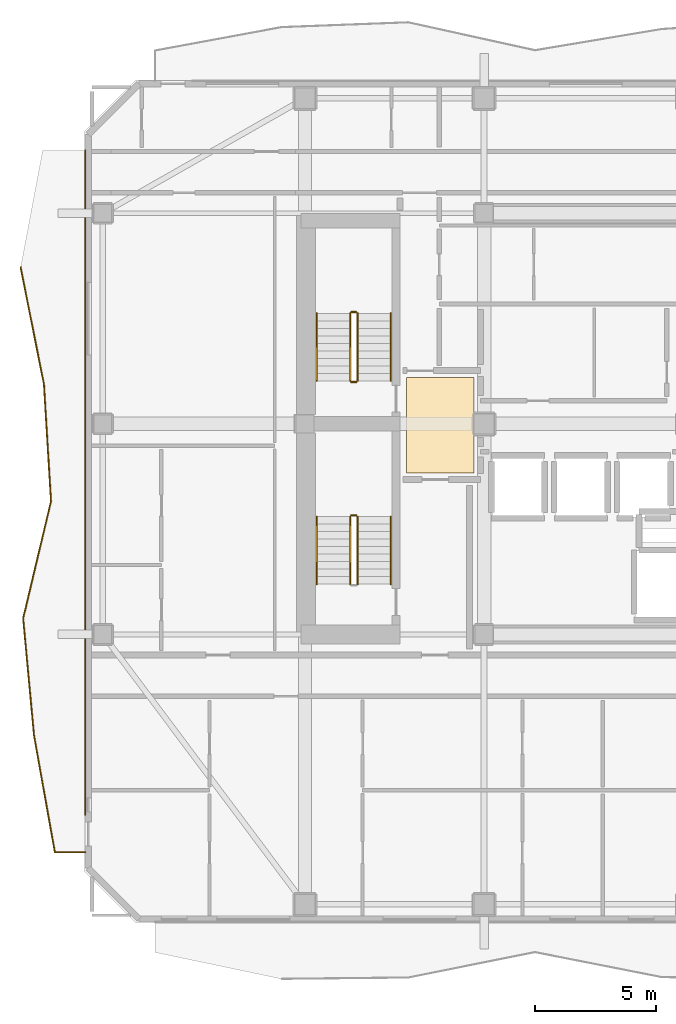
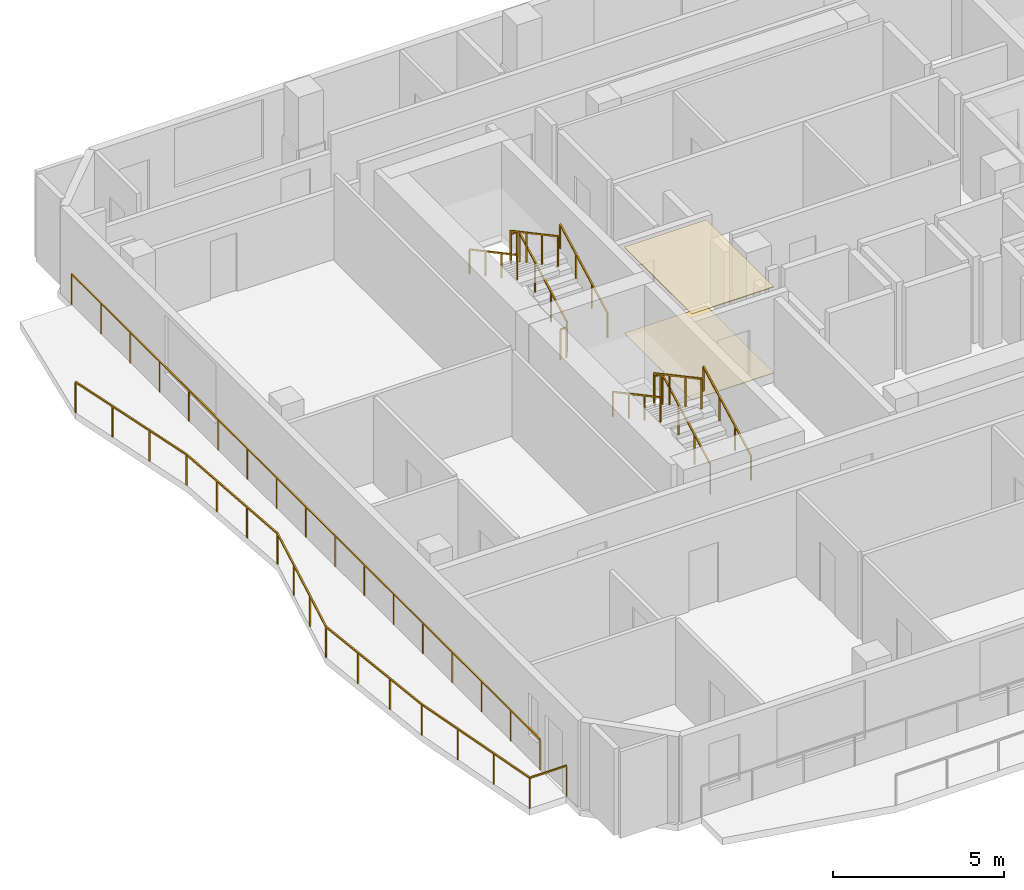
# One storey, part 8 of 10: 13 railings, 2 coverings.
"""IFC4 building model written with IfcOpenShell, lengths in metres."""

from ifc_helpers import new_model, si_unit, direction, frame, origin, origin_2d, place, context, subcontext, project, spatial, polyline, rectangle, outline, extrude, material, layer, layer_set, type_object, element, save


model = new_model("IFC4")

# Units and contexts
model_context = context("Model", 3, precision=1e-05, world=origin(), true_north=direction((0.0, 1.0)))
body_context = subcontext(model_context, "Body", "Model", "MODEL_VIEW")
ifc_project = project(units=[si_unit("LENGTHUNIT", "METRE"), si_unit("AREAUNIT", "SQUARE_METRE"), si_unit("VOLUMEUNIT", "CUBIC_METRE"), si_unit("PLANEANGLEUNIT", "RADIAN"), si_unit("MASSUNIT", "GRAM", prefix="KILO")], contexts=[model_context])

# Site, building, storey
site_placement = place(None, origin())
site = spatial("IfcSite", under=ifc_project, at=site_placement, CompositionType="ELEMENT")
building_placement = place(site_placement, origin())
building = spatial("IfcBuilding", under=site, at=building_placement, Name="Solanera Arch Residences", CompositionType="ELEMENT")
storey_placement = place(building_placement, frame((0.0, 0.0, 200.1201171875)))
storey = spatial("IfcBuildingStorey", under=building, at=storey_placement, Name="L58", CompositionType="ELEMENT", Elevation=200.1201171875)

# Railings
ifc_material_1 = material(Name="Steel S355 (ASTM A992 / A572 Grade 50)", Category="steel")
railing_type_1 = type_object("IfcRailingType", Name="Balustrade Railing BL-1100", PredefinedType="BALUSTRADE", material=ifc_material_1)
railing_1_placement = place(storey_placement, frame((1.65087890625, 37.1669921875, 0.0)))
element("IfcRailing", 1, at=railing_1_placement, inside=storey, type_object=railing_type_1, Name="L58 W Balcony Balustrade 1", PredefinedType="BALUSTRADE", context=body_context, shape_type="SweptSolid", body=[
    extrude(rectangle(XDim=0.048095703125, YDim=0.048095703125, at=origin_2d()), frame((0.0, 0.0, 1.09619140625), z_axis=(0.195401686752, -0.980723294724, 0.0), x_axis=(0.980723294724, 0.195401686752, 0.0)), (0.0, 0.0, 1.0), 4.928955078125),
    extrude(rectangle(XDim=0.048095703125, YDim=0.048095703125, at=origin_2d()), frame((0.963134765625, -4.833984375, 1.09619140625), z_axis=(0.060306283291, -0.998179919752, 0.0), x_axis=(0.998179919752, 0.060306283291, 0.0)), (0.0, 0.0, 1.0), 4.841796875),
    extrude(rectangle(XDim=0.048095703125, YDim=0.048095703125, at=origin_2d()), frame((1.255126953125, -9.6669921875, 1.09619140625), z_axis=(-0.231698033775, -0.972787757501, 0.0), x_axis=(0.972787757501, -0.231698033775, 0.0)), (0.0, 0.0, 1.0), 4.96826171875),
    extrude(rectangle(XDim=0.048095703125, YDim=0.048095703125, at=origin_2d()), frame((0.10400390625, -14.5, 1.09619140625), z_axis=(0.092281313669, -0.995732975826, 0.0), x_axis=(0.995732975826, 0.092281313669, 0.0)), (0.0, 0.0, 1.0), 4.854736328125),
    extrude(rectangle(XDim=0.048095703125, YDim=0.048095703125, at=origin_2d()), frame((0.552001953125, -19.333984375, 1.09619140625), z_axis=(0.175790638484, -0.984427575508, 0.0), x_axis=(0.984427575508, 0.175790638484, 0.0)), (0.0, 0.0, 1.0), 4.909423828125),
    extrude(rectangle(XDim=0.048095703125, YDim=0.048095703125, at=origin_2d()), frame((1.4150390625, -24.1669921875, 1.09619140625), z_axis=(1.0, 0.0, 0.0), x_axis=(0.0, 1.0, 0.0)), (0.0, 0.0, 1.0), 1.254150390625),
    extrude(rectangle(XDim=0.0419921875, YDim=0.0419921875, at=origin_2d()), origin(), (0.0, 0.0, 1.0), 1.072021484375),
    extrude(rectangle(XDim=0.0419921875, YDim=0.0419921875, at=origin_2d()), frame((0.321044921875, -1.611328125, 0.0)), (0.0, 0.0, 1.0), 1.072021484375),
    extrude(rectangle(XDim=0.0419921875, YDim=0.0419921875, at=origin_2d()), frame((0.64208984375, -3.22265625, 0.0)), (0.0, 0.0, 1.0), 1.072021484375),
    extrude(rectangle(XDim=0.0419921875, YDim=0.0419921875, at=origin_2d()), frame((0.963134765625, -4.833984375, 0.0)), (0.0, 0.0, 1.0), 1.072021484375),
    extrude(rectangle(XDim=0.0419921875, YDim=0.0419921875, at=origin_2d()), frame((1.060546875, -6.445068359375, 0.0)), (0.0, 0.0, 1.0), 1.072021484375),
    extrude(rectangle(XDim=0.0419921875, YDim=0.0419921875, at=origin_2d()), frame((1.15771484375, -8.055908203125, 0.0)), (0.0, 0.0, 1.0), 1.072021484375),
    extrude(rectangle(XDim=0.0419921875, YDim=0.0419921875, at=origin_2d()), frame((1.255126953125, -9.6669921875, 0.0)), (0.0, 0.0, 1.0), 1.072021484375),
    extrude(rectangle(XDim=0.0419921875, YDim=0.0419921875, at=origin_2d()), frame((0.871337890625, -11.278076171875, 0.0)), (0.0, 0.0, 1.0), 1.072021484375),
    extrude(rectangle(XDim=0.0419921875, YDim=0.0419921875, at=origin_2d()), frame((0.48779296875, -12.888916015625, 0.0)), (0.0, 0.0, 1.0), 1.072021484375),
    extrude(rectangle(XDim=0.0419921875, YDim=0.0419921875, at=origin_2d()), frame((0.10400390625, -14.5, 0.0)), (0.0, 0.0, 1.0), 1.072021484375),
    extrude(rectangle(XDim=0.0419921875, YDim=0.0419921875, at=origin_2d()), frame((0.25341796875, -16.111328125, 0.0)), (0.0, 0.0, 1.0), 1.072021484375),
    extrude(rectangle(XDim=0.0419921875, YDim=0.0419921875, at=origin_2d()), frame((0.402587890625, -17.72265625, 0.0)), (0.0, 0.0, 1.0), 1.072021484375),
    extrude(rectangle(XDim=0.0419921875, YDim=0.0419921875, at=origin_2d()), frame((0.552001953125, -19.333984375, 0.0)), (0.0, 0.0, 1.0), 1.072021484375),
    extrude(rectangle(XDim=0.0419921875, YDim=0.0419921875, at=origin_2d()), frame((0.839599609375, -20.945068359375, 0.0)), (0.0, 0.0, 1.0), 1.072021484375),
    extrude(rectangle(XDim=0.0419921875, YDim=0.0419921875, at=origin_2d()), frame((1.12744140625, -22.555908203125, 0.0)), (0.0, 0.0, 1.0), 1.072021484375),
    extrude(rectangle(XDim=0.0419921875, YDim=0.0419921875, at=origin_2d()), frame((1.4150390625, -24.1669921875, 0.0)), (0.0, 0.0, 1.0), 1.072021484375),
    extrude(rectangle(XDim=0.0419921875, YDim=0.0419921875, at=origin_2d()), frame((2.669189453125, -24.1669921875, 0.0)), (0.0, 0.0, 1.0), 1.072021484375),
])
railing_2_placement = place(storey_placement, frame((4.320068359375, 14.554931640625, 0.0)))
element("IfcRailing", 2, at=railing_2_placement, inside=storey, type_object=railing_type_1, Name="L58 W Balcony Balustrade 2", PredefinedType="BALUSTRADE", context=body_context, shape_type="SweptSolid", body=[
    extrude(rectangle(XDim=0.048095703125, YDim=0.048095703125, at=origin_2d()), frame((0.0, 0.0, 1.09619140625), z_axis=(0.0, 1.0, 0.0), x_axis=(-1.0, 0.0, 0.0)), (0.0, 0.0, 1.0), 27.445068359375),
    extrude(rectangle(XDim=0.0419921875, YDim=0.0419921875, at=origin_2d()), origin(), (0.0, 0.0, 1.0), 1.072021484375),
    extrude(rectangle(XDim=0.0419921875, YDim=0.0419921875, at=origin_2d()), frame((0.0, 1.71533203125, 0.0)), (0.0, 0.0, 1.0), 1.072021484375),
    extrude(rectangle(XDim=0.0419921875, YDim=0.0419921875, at=origin_2d()), frame((0.0, 3.4306640625, 0.0)), (0.0, 0.0, 1.0), 1.072021484375),
    extrude(rectangle(XDim=0.0419921875, YDim=0.0419921875, at=origin_2d()), frame((0.0, 5.14599609375, 0.0)), (0.0, 0.0, 1.0), 1.072021484375),
    extrude(rectangle(XDim=0.0419921875, YDim=0.0419921875, at=origin_2d()), frame((0.0, 6.861328125, 0.0)), (0.0, 0.0, 1.0), 1.072021484375),
    extrude(rectangle(XDim=0.0419921875, YDim=0.0419921875, at=origin_2d()), frame((0.0, 8.57666015625, 0.0)), (0.0, 0.0, 1.0), 1.072021484375),
    extrude(rectangle(XDim=0.0419921875, YDim=0.0419921875, at=origin_2d()), frame((0.0, 10.2919921875, 0.0)), (0.0, 0.0, 1.0), 1.072021484375),
    extrude(rectangle(XDim=0.0419921875, YDim=0.0419921875, at=origin_2d()), frame((0.0, 12.00732421875, 0.0)), (0.0, 0.0, 1.0), 1.072021484375),
    extrude(rectangle(XDim=0.0419921875, YDim=0.0419921875, at=origin_2d()), frame((0.0, 13.72265625, 0.0)), (0.0, 0.0, 1.0), 1.072021484375),
    extrude(rectangle(XDim=0.0419921875, YDim=0.0419921875, at=origin_2d()), frame((0.0, 15.437744140625, 0.0)), (0.0, 0.0, 1.0), 1.072021484375),
    extrude(rectangle(XDim=0.0419921875, YDim=0.0419921875, at=origin_2d()), frame((0.0, 17.153076171875, 0.0)), (0.0, 0.0, 1.0), 1.072021484375),
    extrude(rectangle(XDim=0.0419921875, YDim=0.0419921875, at=origin_2d()), frame((0.0, 18.868408203125, 0.0)), (0.0, 0.0, 1.0), 1.072021484375),
    extrude(rectangle(XDim=0.0419921875, YDim=0.0419921875, at=origin_2d()), frame((0.0, 20.583740234375, 0.0)), (0.0, 0.0, 1.0), 1.072021484375),
    extrude(rectangle(XDim=0.0419921875, YDim=0.0419921875, at=origin_2d()), frame((0.0, 22.299072265625, 0.0)), (0.0, 0.0, 1.0), 1.072021484375),
    extrude(rectangle(XDim=0.0419921875, YDim=0.0419921875, at=origin_2d()), frame((0.0, 24.014404296875, 0.0)), (0.0, 0.0, 1.0), 1.072021484375),
    extrude(rectangle(XDim=0.0419921875, YDim=0.0419921875, at=origin_2d()), frame((0.0, 25.729736328125, 0.0)), (0.0, 0.0, 1.0), 1.072021484375),
    extrude(rectangle(XDim=0.0419921875, YDim=0.0419921875, at=origin_2d()), frame((0.0, 27.445068359375, 0.0)), (0.0, 0.0, 1.0), 1.072021484375),
])

# Covering
ifc_material_2 = material(Name="Porcelain Acoustic Floor Tile", Category="ceramic")
ifc_layer_1 = layer(ifc_material_2, 0.02001953125)
ifc_layer_set_1 = layer_set([ifc_layer_1], Name="Porcelain Acoustic Floor Tile")
covering_type_1 = type_object("IfcCoveringType", Name="Porcelain Acoustic Floor Finish FLR-20", PredefinedType="FLOORING", material=ifc_layer_set_1)
covering_1_placement = place(storey_placement, origin())
element("IfcCovering", 3, at=covering_1_placement, inside=storey, type_object=covering_type_1, Name="L58-FFL-W Porcelain Floor Finish", PredefinedType="FLOORING", context=body_context, shape_type="SweptSolid", body=[
    extrude(outline(polyline([(20.375, 28.675048828125), (17.594970703125, 28.675048828125), (17.594970703125, 32.625), (20.375, 32.625), (20.375, 28.675048828125)])), origin(), (0.0, 0.0, 1.0), 0.019775390625),
])

# Railings
ifc_material_3 = material(Name="Steel S355 (ASTM A992 / A572 Grade 50)", Category="steel")
railing_type_2 = type_object("IfcRailingType", Name="Stair Guardrail GR-1100", PredefinedType="GUARDRAIL", material=ifc_material_3)
railing_3_placement = place(storey_placement, frame((15.570068359375, 32.47998046875, 0.15087890625)))
element("IfcRailing", 4, at=railing_3_placement, inside=storey, type_object=railing_type_2, Name="L58 ST-T1 stair guard 1", PredefinedType="GUARDRAIL", context=body_context, shape_type="SweptSolid", body=[
    extrude(rectangle(XDim=0.048095703125, YDim=0.048095703125, at=origin_2d()), frame((0.0, 0.0, 1.076171875), z_axis=(0.0, 0.881580869306, 0.472033018838), x_axis=(-1.0, 0.0, 0.0)), (0.0, 0.0, 1.0), 3.164794921875),
    extrude(rectangle(XDim=0.0419921875, YDim=0.0419921875, at=origin_2d()), origin(), (0.0, 0.0, 1.0), 1.052001953125),
    extrude(rectangle(XDim=0.0419921875, YDim=0.0419921875, at=origin_2d()), frame((0.0, 0.929931640625, 0.498046875)), (0.0, 0.0, 1.0), 1.052001953125),
    extrude(rectangle(XDim=0.0419921875, YDim=0.0419921875, at=origin_2d()), frame((0.0, 1.860107421875, 0.995849609375)), (0.0, 0.0, 1.0), 1.052001953125),
    extrude(rectangle(XDim=0.0419921875, YDim=0.0419921875, at=origin_2d()), frame((0.0, 2.7900390625, 1.493896484375)), (0.0, 0.0, 1.0), 1.052001953125),
])
railing_4_placement = place(storey_placement, frame((15.52001953125, 35.320068359375, 1.644775390625)))
element("IfcRailing", 5, at=railing_4_placement, inside=storey, type_object=railing_type_2, Name="L58 ST-T1 stair guard 2", PredefinedType="GUARDRAIL", context=body_context, shape_type="SweptSolid", body=[
    extrude(rectangle(XDim=0.048095703125, YDim=0.048095703125, at=origin_2d()), frame((0.0, 0.0, 1.076171875), z_axis=(-1.0, 0.0, 0.0), x_axis=(0.0, -1.0, 0.0)), (0.0, 0.0, 1.0), 0.199951171875),
    extrude(rectangle(XDim=0.0419921875, YDim=0.0419921875, at=origin_2d()), origin(), (0.0, 0.0, 1.0), 1.052001953125),
    extrude(rectangle(XDim=0.0419921875, YDim=0.0419921875, at=origin_2d()), frame((-0.199951171875, 0.0, 0.0)), (0.0, 0.0, 1.0), 1.052001953125),
])
railing_5_placement = place(storey_placement, frame((15.27001953125, 35.27001953125, 1.810791015625)))
element("IfcRailing", 6, at=railing_5_placement, inside=storey, type_object=railing_type_2, Name="L58 ST-T1 stair guard 3", PredefinedType="GUARDRAIL", context=body_context, shape_type="SweptSolid", body=[
    extrude(rectangle(XDim=0.048095703125, YDim=0.048095703125, at=origin_2d()), frame((0.0, 0.0, 1.076171875), z_axis=(0.0, -0.881548766853, 0.472092969298), x_axis=(1.0, 0.0, 0.0)), (0.0, 0.0, 1.0), 3.1650390625),
    extrude(rectangle(XDim=0.0419921875, YDim=0.0419921875, at=origin_2d()), origin(), (0.0, 0.0, 1.0), 1.052001953125),
    extrude(rectangle(XDim=0.0419921875, YDim=0.0419921875, at=origin_2d()), frame((0.0, -0.929931640625, 0.498046875)), (0.0, 0.0, 1.0), 1.052001953125),
    extrude(rectangle(XDim=0.0419921875, YDim=0.0419921875, at=origin_2d()), frame((0.0, -1.860107421875, 0.99609375)), (0.0, 0.0, 1.0), 1.052001953125),
    extrude(rectangle(XDim=0.0419921875, YDim=0.0419921875, at=origin_2d()), frame((0.0, -2.7900390625, 1.494140625)), (0.0, 0.0, 1.0), 1.052001953125),
])
railing_6_placement = place(storey_placement, frame((15.52001953125, 32.429931640625, -0.01513671875)))
element("IfcRailing", 7, at=railing_6_placement, inside=storey, type_object=railing_type_2, Name="L58 ST-T1 stair guard 4", PredefinedType="GUARDRAIL", context=body_context, shape_type="SweptSolid", body=[
    extrude(rectangle(XDim=0.048095703125, YDim=0.048095703125, at=origin_2d()), frame((0.0, 0.0, 1.076171875), z_axis=(-1.0, 0.0, 0.0), x_axis=(0.0, -1.0, 0.0)), (0.0, 0.0, 1.0), 0.199951171875),
    extrude(rectangle(XDim=0.0419921875, YDim=0.0419921875, at=origin_2d()), origin(), (0.0, 0.0, 1.0), 1.052001953125),
    extrude(rectangle(XDim=0.0419921875, YDim=0.0419921875, at=origin_2d()), frame((-0.199951171875, 0.0, 0.0)), (0.0, 0.0, 1.0), 1.052001953125),
])
railing_7_placement = place(storey_placement, frame((15.570068359375, 24.080078125, 0.15087890625)))
element("IfcRailing", 8, at=railing_7_placement, inside=storey, type_object=railing_type_2, Name="L58 ST-T3 stair guard 1", PredefinedType="GUARDRAIL", context=body_context, shape_type="SweptSolid", body=[
    extrude(rectangle(XDim=0.048095703125, YDim=0.048095703125, at=origin_2d()), frame((0.0, 0.0, 1.076171875), z_axis=(0.0, 0.881580869306, 0.472033018838), x_axis=(-1.0, 0.0, 0.0)), (0.0, 0.0, 1.0), 3.164794921875),
    extrude(rectangle(XDim=0.0419921875, YDim=0.0419921875, at=origin_2d()), origin(), (0.0, 0.0, 1.0), 1.052001953125),
    extrude(rectangle(XDim=0.0419921875, YDim=0.0419921875, at=origin_2d()), frame((0.0, 0.929931640625, 0.498046875)), (0.0, 0.0, 1.0), 1.052001953125),
    extrude(rectangle(XDim=0.0419921875, YDim=0.0419921875, at=origin_2d()), frame((0.0, 1.860107421875, 0.995849609375)), (0.0, 0.0, 1.0), 1.052001953125),
    extrude(rectangle(XDim=0.0419921875, YDim=0.0419921875, at=origin_2d()), frame((0.0, 2.7900390625, 1.493896484375)), (0.0, 0.0, 1.0), 1.052001953125),
])
railing_8_placement = place(storey_placement, frame((15.52001953125, 26.919921875, 1.644775390625)))
element("IfcRailing", 9, at=railing_8_placement, inside=storey, type_object=railing_type_2, Name="L58 ST-T3 stair guard 2", PredefinedType="GUARDRAIL", context=body_context, shape_type="SweptSolid", body=[
    extrude(rectangle(XDim=0.048095703125, YDim=0.048095703125, at=origin_2d()), frame((0.0, 0.0, 1.076171875), z_axis=(-1.0, 0.0, 0.0), x_axis=(0.0, -1.0, 0.0)), (0.0, 0.0, 1.0), 0.199951171875),
    extrude(rectangle(XDim=0.0419921875, YDim=0.0419921875, at=origin_2d()), origin(), (0.0, 0.0, 1.0), 1.052001953125),
    extrude(rectangle(XDim=0.0419921875, YDim=0.0419921875, at=origin_2d()), frame((-0.199951171875, 0.0, 0.0)), (0.0, 0.0, 1.0), 1.052001953125),
])
railing_9_placement = place(storey_placement, frame((15.27001953125, 26.8701171875, 1.810791015625)))
element("IfcRailing", 10, at=railing_9_placement, inside=storey, type_object=railing_type_2, Name="L58 ST-T3 stair guard 3", PredefinedType="GUARDRAIL", context=body_context, shape_type="SweptSolid", body=[
    extrude(rectangle(XDim=0.048095703125, YDim=0.048095703125, at=origin_2d()), frame((0.0, 0.0, 1.076171875), z_axis=(0.0, -0.881548766853, 0.472092969298), x_axis=(1.0, 0.0, 0.0)), (0.0, 0.0, 1.0), 3.1650390625),
    extrude(rectangle(XDim=0.0419921875, YDim=0.0419921875, at=origin_2d()), origin(), (0.0, 0.0, 1.0), 1.052001953125),
    extrude(rectangle(XDim=0.0419921875, YDim=0.0419921875, at=origin_2d()), frame((0.0, -0.929931640625, 0.498046875)), (0.0, 0.0, 1.0), 1.052001953125),
    extrude(rectangle(XDim=0.0419921875, YDim=0.0419921875, at=origin_2d()), frame((0.0, -1.860107421875, 0.99609375)), (0.0, 0.0, 1.0), 1.052001953125),
    extrude(rectangle(XDim=0.0419921875, YDim=0.0419921875, at=origin_2d()), frame((0.0, -2.7900390625, 1.494140625)), (0.0, 0.0, 1.0), 1.052001953125),
])
ifc_material_4 = material(Name="Steel S355 (ASTM A992 / A572 Grade 50)", Category="steel")
railing_type_3 = type_object("IfcRailingType", Name="Stair Wall Handrail HR-920", PredefinedType="HANDRAIL", material=ifc_material_4)
railing_10_placement = place(storey_placement, frame((16.949951171875, 32.47998046875, 0.165771484375)))
element("IfcRailing", 11, at=railing_10_placement, inside=storey, type_object=railing_type_3, Name="L58 ST-T1 stair handrail 1", PredefinedType="HANDRAIL", context=body_context, shape_type="SweptSolid", body=[
    extrude(rectangle(XDim=0.048095703125, YDim=0.048095703125, at=origin_2d()), frame((0.0, 0.0, 0.8759765625), z_axis=(0.0, 0.881548766853, 0.472092969298), x_axis=(-1.0, 0.0, 0.0)), (0.0, 0.0, 1.0), 3.1650390625),
    extrude(rectangle(XDim=0.0419921875, YDim=0.0419921875, at=origin_2d()), origin(), (0.0, 0.0, 1.0), 0.851806640625),
    extrude(rectangle(XDim=0.0419921875, YDim=0.0419921875, at=origin_2d()), frame((0.0, 0.929931640625, 0.498046875)), (0.0, 0.0, 1.0), 0.851806640625),
    extrude(rectangle(XDim=0.0419921875, YDim=0.0419921875, at=origin_2d()), frame((0.0, 1.860107421875, 0.99609375)), (0.0, 0.0, 1.0), 0.851806640625),
    extrude(rectangle(XDim=0.0419921875, YDim=0.0419921875, at=origin_2d()), frame((0.0, 2.7900390625, 1.494140625)), (0.0, 0.0, 1.0), 0.851806640625),
])
railing_11_placement = place(storey_placement, frame((13.889892578125, 35.27001953125, 1.825927734375)))
element("IfcRailing", 12, at=railing_11_placement, inside=storey, type_object=railing_type_3, Name="L58 ST-T1 stair handrail 2", PredefinedType="HANDRAIL", context=body_context, shape_type="SweptSolid", body=[
    extrude(rectangle(XDim=0.048095703125, YDim=0.048095703125, at=origin_2d()), frame((0.0, 0.0, 0.8759765625), z_axis=(0.0, -0.881580869306, 0.472033018838), x_axis=(1.0, 0.0, 0.0)), (0.0, 0.0, 1.0), 3.164794921875),
    extrude(rectangle(XDim=0.0419921875, YDim=0.0419921875, at=origin_2d()), origin(), (0.0, 0.0, 1.0), 0.851806640625),
    extrude(rectangle(XDim=0.0419921875, YDim=0.0419921875, at=origin_2d()), frame((0.0, -0.929931640625, 0.498046875)), (0.0, 0.0, 1.0), 0.851806640625),
    extrude(rectangle(XDim=0.0419921875, YDim=0.0419921875, at=origin_2d()), frame((0.0, -1.860107421875, 0.995849609375)), (0.0, 0.0, 1.0), 0.851806640625),
    extrude(rectangle(XDim=0.0419921875, YDim=0.0419921875, at=origin_2d()), frame((0.0, -2.7900390625, 1.493896484375)), (0.0, 0.0, 1.0), 0.851806640625),
])
railing_12_placement = place(storey_placement, frame((16.949951171875, 24.080078125, 0.165771484375)))
element("IfcRailing", 13, at=railing_12_placement, inside=storey, type_object=railing_type_3, Name="L58 ST-T3 stair handrail 1", PredefinedType="HANDRAIL", context=body_context, shape_type="SweptSolid", body=[
    extrude(rectangle(XDim=0.048095703125, YDim=0.048095703125, at=origin_2d()), frame((0.0, 0.0, 0.8759765625), z_axis=(0.0, 0.881548766853, 0.472092969298), x_axis=(-1.0, 0.0, 0.0)), (0.0, 0.0, 1.0), 3.1650390625),
    extrude(rectangle(XDim=0.0419921875, YDim=0.0419921875, at=origin_2d()), origin(), (0.0, 0.0, 1.0), 0.851806640625),
    extrude(rectangle(XDim=0.0419921875, YDim=0.0419921875, at=origin_2d()), frame((0.0, 0.929931640625, 0.498046875)), (0.0, 0.0, 1.0), 0.851806640625),
    extrude(rectangle(XDim=0.0419921875, YDim=0.0419921875, at=origin_2d()), frame((0.0, 1.860107421875, 0.99609375)), (0.0, 0.0, 1.0), 0.851806640625),
    extrude(rectangle(XDim=0.0419921875, YDim=0.0419921875, at=origin_2d()), frame((0.0, 2.7900390625, 1.494140625)), (0.0, 0.0, 1.0), 0.851806640625),
])
railing_13_placement = place(storey_placement, frame((13.889892578125, 26.8701171875, 1.825927734375)))
element("IfcRailing", 14, at=railing_13_placement, inside=storey, type_object=railing_type_3, Name="L58 ST-T3 stair handrail 2", PredefinedType="HANDRAIL", context=body_context, shape_type="SweptSolid", body=[
    extrude(rectangle(XDim=0.048095703125, YDim=0.048095703125, at=origin_2d()), frame((0.0, 0.0, 0.8759765625), z_axis=(0.0, -0.881580869306, 0.472033018838), x_axis=(1.0, 0.0, 0.0)), (0.0, 0.0, 1.0), 3.164794921875),
    extrude(rectangle(XDim=0.0419921875, YDim=0.0419921875, at=origin_2d()), origin(), (0.0, 0.0, 1.0), 0.851806640625),
    extrude(rectangle(XDim=0.0419921875, YDim=0.0419921875, at=origin_2d()), frame((0.0, -0.929931640625, 0.498046875)), (0.0, 0.0, 1.0), 0.851806640625),
    extrude(rectangle(XDim=0.0419921875, YDim=0.0419921875, at=origin_2d()), frame((0.0, -1.860107421875, 0.995849609375)), (0.0, 0.0, 1.0), 0.851806640625),
    extrude(rectangle(XDim=0.0419921875, YDim=0.0419921875, at=origin_2d()), frame((0.0, -2.7900390625, 1.493896484375)), (0.0, 0.0, 1.0), 0.851806640625),
])

# Covering
ifc_material_5 = material(Name="Mineral Fibre Acoustic Ceiling Board", Category="gypsum")
ifc_layer_2 = layer(ifc_material_5, 0.02490234375)
ifc_layer_set_2 = layer_set([ifc_layer_2], Name="Mineral Fibre Acoustic Ceiling Board")
covering_type_2 = type_object("IfcCoveringType", Name="Suspended Acoustic Ceiling Board CLG-25", PredefinedType="CEILING", material=ifc_layer_set_2)
covering_2_placement = place(storey_placement, frame((0.0, 0.0, 3.074951171875)))
element("IfcCovering", 15, at=covering_2_placement, inside=storey, type_object=covering_type_2, Name="L58-FFL-W Acoustic Ceiling", PredefinedType="CEILING", context=body_context, shape_type="SweptSolid", body=[
    extrude(outline(polyline([(20.375, 28.675048828125), (17.594970703125, 28.675048828125), (17.594970703125, 32.625), (20.375, 32.625), (20.375, 28.675048828125)])), origin(), (0.0, 0.0, 1.0), 0.02490234375),
])

save(model, "model.ifc")
